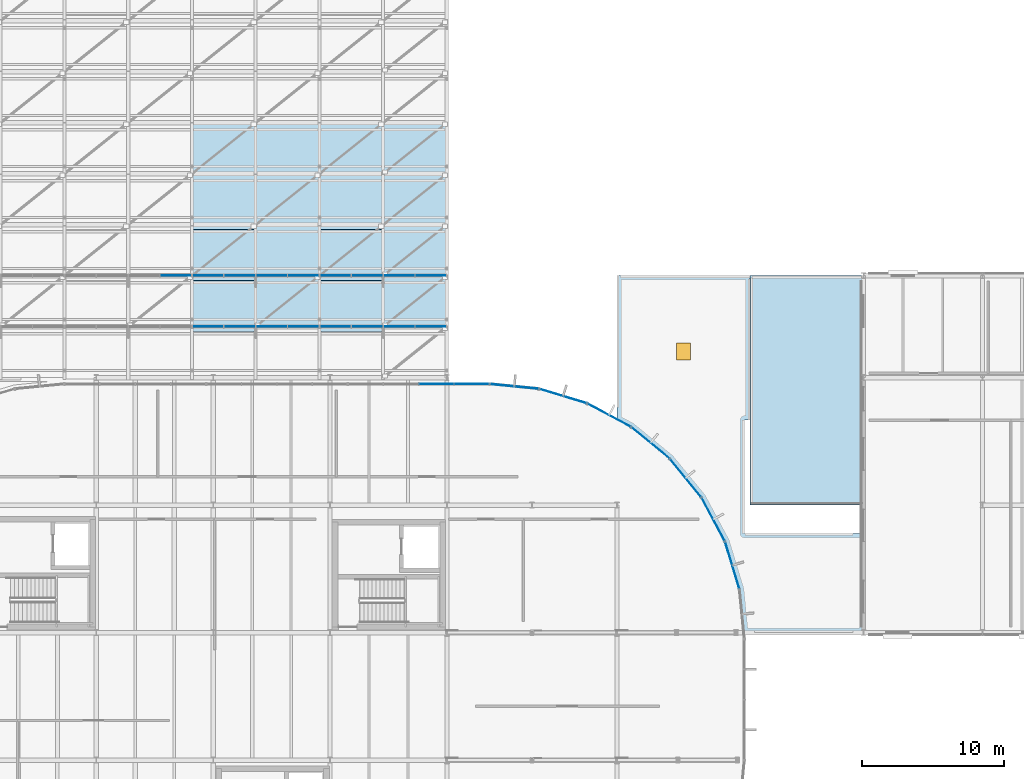
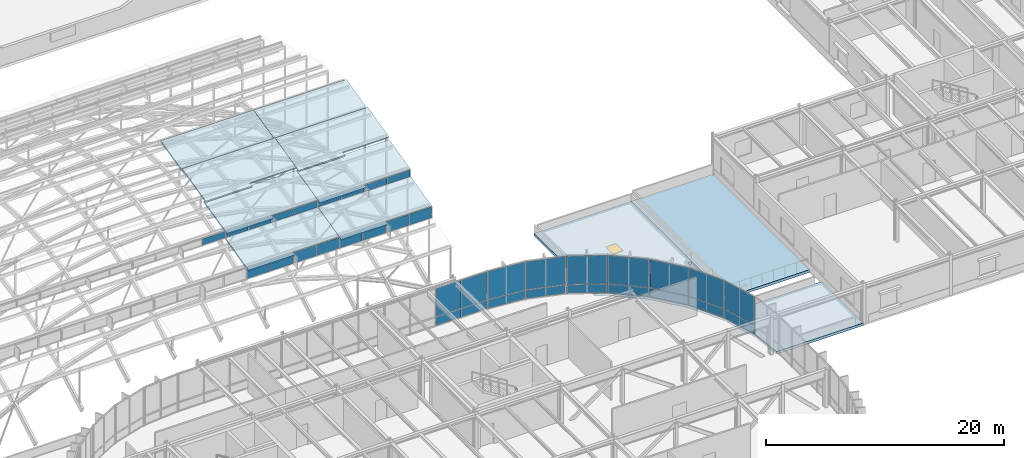
# One storey, part 46 of 69: 35 plates, 10 slabs, 1 door, 1 opening, 15 elements without a shape of their own.
"""IFC4 building model written with IfcOpenShell, lengths in metres."""

import ifcopenshell
import ifcopenshell.guid

model = None  # the IFC model being written
_history = None  # IfcOwnerHistory: only IFC2X3 demands one
_inside = {}  # id of a spatial element -> (the spatial element, [elements in it])
_under = {}  # id of a project, library or spatial element -> (it, [spatial elements below it])
_declared = {}  # id of a project -> (the project, [libraries it declares])
_typed = {}  # id of a type object -> (the type object, [elements of that type])
_made_of = {}  # id of a material, layer set ... -> (it, [elements and type objects made of it])


def new_model(schema):
    """Start an empty IFC model of exactly this schema.

    Asked for "IFC4X3", IfcOpenShell would pick the latest addendum, in which some entities
    have other attributes; the version numbers below select the first issue.
    IFC2X3 requires an IfcOwnerHistory on every rooted entity: one is made here for all.
    """
    global model, _history
    if schema == "IFC4X3":
        model = ifcopenshell.file(schema_version=(4, 3, 0, 0))
    else:
        model = ifcopenshell.file(schema=schema)
    _inside.clear()
    _under.clear()
    _declared.clear()
    _typed.clear()
    _made_of.clear()
    _history = None
    if model.schema == "IFC2X3":
        org = make("IfcOrganization", Name="unknown")
        user = make(
            "IfcPersonAndOrganization",
            ThePerson=make("IfcPerson", FamilyName="unknown"),
            TheOrganization=org,
        )
        app = make(
            "IfcApplication",
            ApplicationDeveloper=org,
            Version="unknown",
            ApplicationFullName="unknown",
            ApplicationIdentifier="unknown",
        )
        _history = make(
            "IfcOwnerHistory",
            OwningUser=user,
            OwningApplication=app,
            ChangeAction="ADDED",
            CreationDate=0,
        )
    return model


def make(cls, **values):
    """One entity of the class cls with the attributes given. An attribute that is None is left unset."""
    return model.create_entity(
        cls, **{name: value for name, value in values.items() if value is not None}
    )


def rooted(cls, **values):
    """An entity with a GlobalId (a new one), such as an element, a storey or a relation."""
    return make(cls, GlobalId=ifcopenshell.guid.new(), OwnerHistory=_history, **values)


def si_unit(unit_type, name, prefix=None):
    """IfcSIUnit, for example si_unit("LENGTHUNIT", "METRE", prefix="MILLI")."""
    return make("IfcSIUnit", UnitType=unit_type, Prefix=prefix, Name=name)


def assignment(units):
    """IfcUnitAssignment: the units of a project."""
    return None if units is None else make("IfcUnitAssignment", Units=units)


def point(xyz):
    """IfcCartesianPoint."""
    return None if xyz is None else make("IfcCartesianPoint", Coordinates=xyz)


def direction(xyz):
    """IfcDirection."""
    return None if xyz is None else make("IfcDirection", DirectionRatios=xyz)


def frame(location, z_axis=None, x_axis=None):
    """IfcAxis2Placement3D, a coordinate frame: its origin and axes. An axis left out is left unset."""
    return make(
        "IfcAxis2Placement3D",
        Location=point(location),
        Axis=direction(z_axis),
        RefDirection=direction(x_axis),
    )


def frame_2d(location, x_axis=None):
    """IfcAxis2Placement2D, a coordinate frame in the plane: its origin and x axis."""
    return make(
        "IfcAxis2Placement2D", Location=point(location), RefDirection=direction(x_axis)
    )


def origin():
    """The frame at (0, 0, 0) with its axes left unset."""
    return frame((0.0, 0.0, 0.0))


def origin_2d():
    """The frame at (0, 0) in the plane with its x axis left unset."""
    return frame_2d((0.0, 0.0))


def place(relative_to, where):
    """IfcLocalPlacement: puts the frame where relative to a parent placement (None: the world)."""
    return make(
        "IfcLocalPlacement", PlacementRelTo=relative_to, RelativePlacement=where
    )


def context(
    kind, dimensions, precision=None, world=None, true_north=None, identifier=None
):
    """IfcGeometricRepresentationContext, for example the 3D "Model" context."""
    return make(
        "IfcGeometricRepresentationContext",
        ContextIdentifier=identifier,
        ContextType=kind,
        CoordinateSpaceDimension=dimensions,
        Precision=precision,
        WorldCoordinateSystem=world,
        TrueNorth=true_north,
    )


def subcontext(parent, identifier, kind, view, scale=None):
    """IfcGeometricRepresentationSubContext, for example "Body" below "Model"."""
    return make(
        "IfcGeometricRepresentationSubContext",
        ContextIdentifier=identifier,
        ContextType=kind,
        ParentContext=parent,
        TargetScale=scale,
        TargetView=view,
    )


def project(units=None, contexts=None):
    """IfcProject with its units and contexts."""
    return rooted(
        "IfcProject",
        Name="project",
        RepresentationContexts=contexts,
        UnitsInContext=assignment(units),
    )


def spatial(cls, under=None, at=None, **own):
    """A site, building, storey or space (cls), placed at a placement, below another one or the project."""
    s = rooted(cls, ObjectPlacement=at, **own)
    if under is not None:
        _under.setdefault(under.id(), (under, []))[1].append(s)
    return s


def polyline(points):
    """IfcPolyline through the points."""
    return make("IfcPolyline", Points=[point(p) for p in points])


def profile(cls, at=None, kind="AREA", **sizes):
    """A parametric profile (cls). Its sizes go by their IFC names, for example OverallWidth=200.0."""
    return make(cls, ProfileType=kind, Position=at, **sizes)


def rectangle(**sizes):
    """IfcRectangleProfileDef."""
    return profile("IfcRectangleProfileDef", **sizes)


def outline(outer, holes=None, kind="AREA"):
    """IfcArbitraryClosedProfileDef: a profile drawn as a closed curve; with holes, ...WithVoids."""
    if holes is None:
        return make("IfcArbitraryClosedProfileDef", ProfileType=kind, OuterCurve=outer)
    return make(
        "IfcArbitraryProfileDefWithVoids",
        ProfileType=kind,
        OuterCurve=outer,
        InnerCurves=holes,
    )


def extrude(swept, where, along, depth):
    """IfcExtrudedAreaSolid: the profile swept, set in the frame where, extruded along a direction by depth."""
    return make(
        "IfcExtrudedAreaSolid",
        SweptArea=swept,
        Position=where,
        ExtrudedDirection=direction(along),
        Depth=depth,
    )


def shape(context_of_items, identifier, shape_type, items):
    """IfcShapeRepresentation: the items that make up one representation, for example the "Body"."""
    return make(
        "IfcShapeRepresentation",
        ContextOfItems=context_of_items,
        RepresentationIdentifier=identifier,
        RepresentationType=shape_type,
        Items=items,
    )


def material(Name=None, Category=None):
    """IfcMaterial."""
    return make("IfcMaterial", Name=Name, Category=Category)


def layer(
    of_material, thickness, ventilated=None, Name=None, Category=None, Priority=None
):
    """IfcMaterialLayer: one layer of a wall or slab, of a material (None: an air gap)."""
    return make(
        "IfcMaterialLayer",
        Material=of_material,
        LayerThickness=thickness,
        IsVentilated=ventilated,
        Name=Name,
        Category=Category,
        Priority=Priority,
    )


def layer_set(layers, Name=None):
    """IfcMaterialLayerSet."""
    return make("IfcMaterialLayerSet", MaterialLayers=layers, LayerSetName=Name)


def made_of(thing, what):
    """Note that an element or type object is made of a material, layer set ...; save() writes the relation."""
    if what is not None:
        _made_of.setdefault(what.id(), (what, []))[1].append(thing)
    return thing


def type_object(cls, material=None, **own):
    """A type object (cls), such as IfcWallType, which elements share."""
    return made_of(rooted(cls, **own), material)


def element(
    cls,
    number,
    at=None,
    inside=None,
    cuts=None,
    type_object=None,
    material=None,
    context=None,
    identifier="Body",
    shape_type=None,
    held_by="IfcProductDefinitionShape",
    body=None,
    shapes=None,
    **own,
):
    """One element of the class cls, such as IfcWall. Its Tag is "e" and its number.

    at: its placement. inside: the storey or other place that contains it. cuts: it is an
    opening in that element (IfcRelVoidsElement). A single representation is given by context,
    identifier, shape_type and body (its items); several are given by shapes. held_by: the class
    of the entity that holds the representations. save() writes the other relations.
    """
    e = rooted(cls, Tag="e%d" % number, ObjectPlacement=at, **own)
    if body is not None:
        shapes = [shape(context, identifier, shape_type, body)]
    if shapes is not None:
        e.Representation = make(held_by, Representations=shapes)
    if inside is not None:
        _inside.setdefault(inside.id(), (inside, []))[1].append(e)
    if cuts is not None:
        rooted(
            "IfcRelVoidsElement", RelatingBuildingElement=cuts, RelatedOpeningElement=e
        )
    if type_object is not None:
        _typed.setdefault(type_object.id(), (type_object, []))[1].append(e)
    return made_of(e, material)


def fill(opening, filler):
    """IfcRelFillsElement: the door or window that sits in an opening."""
    return rooted(
        "IfcRelFillsElement",
        RelatingOpeningElement=opening,
        RelatedBuildingElement=filler,
    )


def aggregate(whole, parts):
    """IfcRelAggregates: a whole, such as a stair, and the parts it consists of."""
    return rooted("IfcRelAggregates", RelatingObject=whole, RelatedObjects=parts)


def save(model, path):
    """Write the relations noted so far, then the file.

    IfcRelAggregates (storeys below a building ...), IfcRelContainedInSpatialStructure (elements
    in a storey), IfcRelDefinesByType, IfcRelAssociatesMaterial and IfcRelDeclares: one each for
    every whole, place, type object, material and project.
    """
    for whole, parts in _under.values():
        aggregate(whole, parts)
    for where, things in _inside.values():
        rooted(
            "IfcRelContainedInSpatialStructure",
            RelatedElements=things,
            RelatingStructure=where,
        )
    for kind, things in _typed.values():
        rooted("IfcRelDefinesByType", RelatedObjects=things, RelatingType=kind)
    for what, things in _made_of.values():
        rooted("IfcRelAssociatesMaterial", RelatedObjects=things, RelatingMaterial=what)
    for by, libraries in _declared.values():
        rooted("IfcRelDeclares", RelatingContext=by, RelatedDefinitions=libraries)
    model.write(path)


model = new_model("IFC4")

# Units and contexts
model_context = context("Model", 3, precision=1e-05, world=origin(), true_north=direction((0.0, 1.0)))
body_context = subcontext(model_context, "Body", "Model", "MODEL_VIEW")
ifc_project = project(units=[si_unit("LENGTHUNIT", "METRE"), si_unit("AREAUNIT", "SQUARE_METRE"), si_unit("VOLUMEUNIT", "CUBIC_METRE"), si_unit("PLANEANGLEUNIT", "RADIAN"), si_unit("MASSUNIT", "GRAM", prefix="KILO")], contexts=[model_context])

# Site, building, storey
site_placement = place(None, origin())
site = spatial("IfcSite", under=ifc_project, at=site_placement, CompositionType="ELEMENT")
building_placement = place(site_placement, origin())
building = spatial("IfcBuilding", under=site, at=building_placement, Name="Montealbar Specialist Clinic", CompositionType="ELEMENT")
storey_placement = place(building_placement, frame((0.0, 0.0, 9.60009765625)))
storey = spatial("IfcBuildingStorey", under=building, at=storey_placement, Name="L02", CompositionType="ELEMENT", Elevation=9.60009765625)

# Curtain wall, plates
ifc_material_1 = material(Name="Low-E double glazing", Category="glass")
ifc_layer_1 = layer(ifc_material_1, 0.199951171875, Name="Low-E double glazing", Category="glass")
ifc_layer_set_1 = layer_set([ifc_layer_1], Name="Low-E double glazing")
curtain_wall_type_1 = type_object("IfcCurtainWallType", Name="CW-TYPE-13", PredefinedType="NOTDEFINED", material=ifc_layer_set_1)
curtain_wall_1_placement = place(storey_placement, origin())
curtain_wall_1 = element("IfcCurtainWall", 1, at=curtain_wall_1_placement, inside=storey, type_object=curtain_wall_type_1, Name="Unitised Curtain Wall CW-L02-920-446-1020-446-96", PredefinedType="NOTDEFINED")
ifc_layer_2 = layer(ifc_material_1, 0.028076171875, Name="Low-E double glazing", Category="glass")
ifc_layer_set_2 = layer_set([ifc_layer_2], Name="Low-E double glazing")
plate_type_1 = type_object("IfcPlateType", Name="CW-PNL-IGU28", PredefinedType="CURTAIN_PANEL", material=ifc_layer_set_2)
plate_1_placement = place(storey_placement, frame((98.25, 44.550048828125, 0.06982421875), z_axis=(0.0, 0.0, 1.0), x_axis=(1.0, 0.0, 0.0)))
plate_1 = element("IfcPlate", 2, at=plate_1_placement, type_object=plate_type_1, Name="Glazed Curtain Panel CW-L02-920-446-1020-446-96-3-1", PredefinedType="CURTAIN_PANEL", context=body_context, shape_type="SweptSolid", body=[
    extrude(rectangle(XDim=2.427978515625, YDim=0.028076171875, at=origin_2d()), origin(), (0.0, 0.0, 1.0), 0.85009765625),
])
plate_2_placement = place(storey_placement, frame((98.25, 44.550048828125, 0.97998046875), z_axis=(0.0, 0.0, 1.0), x_axis=(1.0, 0.0, 0.0)))
plate_2 = element("IfcPlate", 3, at=plate_2_placement, type_object=plate_type_1, Name="Glazed Curtain Panel CW-L02-920-446-1020-446-96-3-2", PredefinedType="CURTAIN_PANEL", context=body_context, shape_type="SweptSolid", body=[
    extrude(rectangle(XDim=2.427978515625, YDim=0.028076171875, at=origin_2d()), origin(), (0.0, 0.0, 1.0), 2.8798828125),
])
plate_3_placement = place(storey_placement, frame((100.75, 44.550048828125, 0.06982421875), z_axis=(0.0, 0.0, 1.0), x_axis=(1.0, 0.0, 0.0)))
plate_3 = element("IfcPlate", 4, at=plate_3_placement, type_object=plate_type_1, Name="Glazed Curtain Panel CW-L02-920-446-1020-446-96-4-1", PredefinedType="CURTAIN_PANEL", context=body_context, shape_type="SweptSolid", body=[
    extrude(rectangle(XDim=2.427978515625, YDim=0.028076171875, at=origin_2d()), origin(), (0.0, 0.0, 1.0), 0.85009765625),
])
plate_4_placement = place(storey_placement, frame((100.75, 44.550048828125, 0.97998046875), z_axis=(0.0, 0.0, 1.0), x_axis=(1.0, 0.0, 0.0)))
plate_4 = element("IfcPlate", 5, at=plate_4_placement, type_object=plate_type_1, Name="Glazed Curtain Panel CW-L02-920-446-1020-446-96-4-2", PredefinedType="CURTAIN_PANEL", context=body_context, shape_type="SweptSolid", body=[
    extrude(rectangle(XDim=2.427978515625, YDim=0.028076171875, at=origin_2d()), origin(), (0.0, 0.0, 1.0), 2.8798828125),
])
aggregate(curtain_wall_1, [plate_1, plate_2, plate_3, plate_4])

ifc_layer_3 = layer(ifc_material_1, 0.199951171875, Name="Low-E double glazing", Category="glass")
ifc_layer_set_3 = layer_set([ifc_layer_3], Name="Low-E double glazing")
curtain_wall_type_2 = type_object("IfcCurtainWallType", Name="CW-TYPE-47", PredefinedType="NOTDEFINED", material=ifc_layer_set_3)
curtain_wall_2_placement = place(storey_placement, origin())
curtain_wall_2 = element("IfcCurtainWall", 6, at=curtain_wall_2_placement, inside=storey, type_object=curtain_wall_type_2, Name="Unitised Curtain Wall CW-L02-810-486-900-486-175", PredefinedType="NOTDEFINED")
plate_5_placement = place(storey_placement, frame((82.125, 48.60009765625, 8.00439453125), z_axis=(0.0, 0.0, 1.0), x_axis=(1.0, 0.0, 0.0)))
plate_5 = element("IfcPlate", 7, at=plate_5_placement, type_object=plate_type_1, Name="Glazed Curtain Panel CW-L02-810-486-900-486-175-1-1", PredefinedType="CURTAIN_PANEL", context=body_context, shape_type="SweptSolid", body=[
    extrude(rectangle(XDim=2.177978515625, YDim=0.028076171875, at=origin_2d()), origin(), (0.0, 0.0, 1.0), 1.116943359375),
])
plate_6_placement = place(storey_placement, frame((84.375, 48.60009765625, 8.00439453125), z_axis=(0.0, 0.0, 1.0), x_axis=(1.0, 0.0, 0.0)))
plate_6 = element("IfcPlate", 8, at=plate_6_placement, type_object=plate_type_1, Name="Glazed Curtain Panel CW-L02-810-486-900-486-175-2-1", PredefinedType="CURTAIN_PANEL", context=body_context, shape_type="SweptSolid", body=[
    extrude(rectangle(XDim=2.177978515625, YDim=0.028076171875, at=origin_2d()), origin(), (0.0, 0.0, 1.0), 1.116943359375),
])
plate_7_placement = place(storey_placement, frame((86.625, 48.60009765625, 8.00439453125), z_axis=(0.0, 0.0, 1.0), x_axis=(1.0, 0.0, 0.0)))
plate_7 = element("IfcPlate", 9, at=plate_7_placement, type_object=plate_type_1, Name="Glazed Curtain Panel CW-L02-810-486-900-486-175-3-1", PredefinedType="CURTAIN_PANEL", context=body_context, shape_type="SweptSolid", body=[
    extrude(rectangle(XDim=2.177978515625, YDim=0.028076171875, at=origin_2d()), origin(), (0.0, 0.0, 1.0), 1.116943359375),
])
plate_8_placement = place(storey_placement, frame((88.875, 48.60009765625, 8.00439453125), z_axis=(0.0, 0.0, 1.0), x_axis=(1.0, 0.0, 0.0)))
plate_8 = element("IfcPlate", 10, at=plate_8_placement, type_object=plate_type_1, Name="Glazed Curtain Panel CW-L02-810-486-900-486-175-4-1", PredefinedType="CURTAIN_PANEL", context=body_context, shape_type="SweptSolid", body=[
    extrude(rectangle(XDim=2.177978515625, YDim=0.028076171875, at=origin_2d()), origin(), (0.0, 0.0, 1.0), 1.116943359375),
])
aggregate(curtain_wall_2, [plate_5, plate_6, plate_7, plate_8])

curtain_wall_3_placement = place(storey_placement, origin())
curtain_wall_3 = element("IfcCurtainWall", 11, at=curtain_wall_3_placement, inside=storey, type_object=curtain_wall_type_2, Name="Unitised Curtain Wall CW-L02-900-486-990-486-175", PredefinedType="NOTDEFINED")
plate_9_placement = place(storey_placement, frame((91.125, 48.60009765625, 8.00439453125), z_axis=(0.0, 0.0, 1.0), x_axis=(1.0, 0.0, 0.0)))
plate_9 = element("IfcPlate", 12, at=plate_9_placement, type_object=plate_type_1, Name="Glazed Curtain Panel CW-L02-900-486-990-486-175-1-1", PredefinedType="CURTAIN_PANEL", context=body_context, shape_type="SweptSolid", body=[
    extrude(rectangle(XDim=2.177978515625, YDim=0.028076171875, at=origin_2d()), origin(), (0.0, 0.0, 1.0), 1.116943359375),
])
plate_10_placement = place(storey_placement, frame((93.375, 48.60009765625, 8.00439453125), z_axis=(0.0, 0.0, 1.0), x_axis=(1.0, 0.0, 0.0)))
plate_10 = element("IfcPlate", 13, at=plate_10_placement, type_object=plate_type_1, Name="Glazed Curtain Panel CW-L02-900-486-990-486-175-2-1", PredefinedType="CURTAIN_PANEL", context=body_context, shape_type="SweptSolid", body=[
    extrude(rectangle(XDim=2.177978515625, YDim=0.028076171875, at=origin_2d()), origin(), (0.0, 0.0, 1.0), 1.116943359375),
])
plate_11_placement = place(storey_placement, frame((95.625, 48.60009765625, 8.00439453125), z_axis=(0.0, 0.0, 1.0), x_axis=(1.0, 0.0, 0.0)))
plate_11 = element("IfcPlate", 14, at=plate_11_placement, type_object=plate_type_1, Name="Glazed Curtain Panel CW-L02-900-486-990-486-175-3-1", PredefinedType="CURTAIN_PANEL", context=body_context, shape_type="SweptSolid", body=[
    extrude(rectangle(XDim=2.177978515625, YDim=0.028076171875, at=origin_2d()), origin(), (0.0, 0.0, 1.0), 1.116943359375),
])
plate_12_placement = place(storey_placement, frame((97.875, 48.60009765625, 8.00439453125), z_axis=(0.0, 0.0, 1.0), x_axis=(1.0, 0.0, 0.0)))
plate_12 = element("IfcPlate", 15, at=plate_12_placement, type_object=plate_type_1, Name="Glazed Curtain Panel CW-L02-900-486-990-486-175-4-1", PredefinedType="CURTAIN_PANEL", context=body_context, shape_type="SweptSolid", body=[
    extrude(rectangle(XDim=2.177978515625, YDim=0.028076171875, at=origin_2d()), origin(), (0.0, 0.0, 1.0), 1.116943359375),
])
aggregate(curtain_wall_3, [plate_9, plate_10, plate_11, plate_12])

# Curtain wall, plate
ifc_layer_4 = layer(ifc_material_1, 0.199951171875, Name="Low-E double glazing", Category="glass")
ifc_layer_set_4 = layer_set([ifc_layer_4], Name="Low-E double glazing")
curtain_wall_type_3 = type_object("IfcCurtainWallType", Name="CW-TYPE-48", PredefinedType="NOTDEFINED", material=ifc_layer_set_4)
curtain_wall_4_placement = place(storey_placement, origin())
curtain_wall_4 = element("IfcCurtainWall", 16, at=curtain_wall_4_placement, inside=storey, type_object=curtain_wall_type_3, Name="Unitised Curtain Wall CW-L02-720-522-810-522-196", PredefinedType="NOTDEFINED")
plate_13_placement = place(storey_placement, frame((79.875, 52.199951171875, 10.044921875), z_axis=(0.0, 0.0, 1.0), x_axis=(1.0, 0.0, 0.0)))
plate_13 = element("IfcPlate", 17, at=plate_13_placement, type_object=plate_type_1, Name="Glazed Curtain Panel CW-L02-720-522-810-522-196-4-1", PredefinedType="CURTAIN_PANEL", context=body_context, shape_type="SweptSolid", body=[
    extrude(rectangle(XDim=2.177978515625, YDim=0.028076171875, at=origin_2d()), origin(), (0.0, 0.0, 1.0), 0.6640625),
])
aggregate(curtain_wall_4, [plate_13])

# Curtain wall, plates
curtain_wall_5_placement = place(storey_placement, origin())
curtain_wall_5 = element("IfcCurtainWall", 18, at=curtain_wall_5_placement, inside=storey, type_object=curtain_wall_type_3, Name="Unitised Curtain Wall CW-L02-810-522-900-522-196", PredefinedType="NOTDEFINED")
plate_14_placement = place(storey_placement, frame((82.125, 52.199951171875, 10.044921875), z_axis=(0.0, 0.0, 1.0), x_axis=(1.0, 0.0, 0.0)))
plate_14 = element("IfcPlate", 19, at=plate_14_placement, type_object=plate_type_1, Name="Glazed Curtain Panel CW-L02-810-522-900-522-196-1-1", PredefinedType="CURTAIN_PANEL", context=body_context, shape_type="SweptSolid", body=[
    extrude(rectangle(XDim=2.177978515625, YDim=0.028076171875, at=origin_2d()), origin(), (0.0, 0.0, 1.0), 0.6640625),
])
plate_15_placement = place(storey_placement, frame((84.375, 52.199951171875, 10.044921875), z_axis=(0.0, 0.0, 1.0), x_axis=(1.0, 0.0, 0.0)))
plate_15 = element("IfcPlate", 20, at=plate_15_placement, type_object=plate_type_1, Name="Glazed Curtain Panel CW-L02-810-522-900-522-196-2-1", PredefinedType="CURTAIN_PANEL", context=body_context, shape_type="SweptSolid", body=[
    extrude(rectangle(XDim=2.177978515625, YDim=0.028076171875, at=origin_2d()), origin(), (0.0, 0.0, 1.0), 0.6640625),
])
plate_16_placement = place(storey_placement, frame((86.625, 52.199951171875, 10.044921875), z_axis=(0.0, 0.0, 1.0), x_axis=(1.0, 0.0, 0.0)))
plate_16 = element("IfcPlate", 21, at=plate_16_placement, type_object=plate_type_1, Name="Glazed Curtain Panel CW-L02-810-522-900-522-196-3-1", PredefinedType="CURTAIN_PANEL", context=body_context, shape_type="SweptSolid", body=[
    extrude(rectangle(XDim=2.177978515625, YDim=0.028076171875, at=origin_2d()), origin(), (0.0, 0.0, 1.0), 0.6640625),
])
plate_17_placement = place(storey_placement, frame((88.875, 52.199951171875, 10.044921875), z_axis=(0.0, 0.0, 1.0), x_axis=(1.0, 0.0, 0.0)))
plate_17 = element("IfcPlate", 22, at=plate_17_placement, type_object=plate_type_1, Name="Glazed Curtain Panel CW-L02-810-522-900-522-196-4-1", PredefinedType="CURTAIN_PANEL", context=body_context, shape_type="SweptSolid", body=[
    extrude(rectangle(XDim=2.177978515625, YDim=0.028076171875, at=origin_2d()), origin(), (0.0, 0.0, 1.0), 0.6640625),
])
aggregate(curtain_wall_5, [plate_14, plate_15, plate_16, plate_17])

curtain_wall_6_placement = place(storey_placement, origin())
curtain_wall_6 = element("IfcCurtainWall", 23, at=curtain_wall_6_placement, inside=storey, type_object=curtain_wall_type_3, Name="Unitised Curtain Wall CW-L02-900-522-990-522-196", PredefinedType="NOTDEFINED")
plate_18_placement = place(storey_placement, frame((91.125, 52.199951171875, 10.044921875), z_axis=(0.0, 0.0, 1.0), x_axis=(1.0, 0.0, 0.0)))
plate_18 = element("IfcPlate", 24, at=plate_18_placement, type_object=plate_type_1, Name="Glazed Curtain Panel CW-L02-900-522-990-522-196-1-1", PredefinedType="CURTAIN_PANEL", context=body_context, shape_type="SweptSolid", body=[
    extrude(rectangle(XDim=2.177978515625, YDim=0.028076171875, at=origin_2d()), origin(), (0.0, 0.0, 1.0), 0.6640625),
])
plate_19_placement = place(storey_placement, frame((93.375, 52.199951171875, 10.044921875), z_axis=(0.0, 0.0, 1.0), x_axis=(1.0, 0.0, 0.0)))
plate_19 = element("IfcPlate", 25, at=plate_19_placement, type_object=plate_type_1, Name="Glazed Curtain Panel CW-L02-900-522-990-522-196-2-1", PredefinedType="CURTAIN_PANEL", context=body_context, shape_type="SweptSolid", body=[
    extrude(rectangle(XDim=2.177978515625, YDim=0.028076171875, at=origin_2d()), origin(), (0.0, 0.0, 1.0), 0.6640625),
])
plate_20_placement = place(storey_placement, frame((95.625, 52.199951171875, 10.044921875), z_axis=(0.0, 0.0, 1.0), x_axis=(1.0, 0.0, 0.0)))
plate_20 = element("IfcPlate", 26, at=plate_20_placement, type_object=plate_type_1, Name="Glazed Curtain Panel CW-L02-900-522-990-522-196-3-1", PredefinedType="CURTAIN_PANEL", context=body_context, shape_type="SweptSolid", body=[
    extrude(rectangle(XDim=2.177978515625, YDim=0.028076171875, at=origin_2d()), origin(), (0.0, 0.0, 1.0), 0.6640625),
])
plate_21_placement = place(storey_placement, frame((97.875, 52.199951171875, 10.044921875), z_axis=(0.0, 0.0, 1.0), x_axis=(1.0, 0.0, 0.0)))
plate_21 = element("IfcPlate", 27, at=plate_21_placement, type_object=plate_type_1, Name="Glazed Curtain Panel CW-L02-900-522-990-522-196-4-1", PredefinedType="CURTAIN_PANEL", context=body_context, shape_type="SweptSolid", body=[
    extrude(rectangle(XDim=2.177978515625, YDim=0.028076171875, at=origin_2d()), origin(), (0.0, 0.0, 1.0), 0.6640625),
])
aggregate(curtain_wall_6, [plate_18, plate_19, plate_20, plate_21])

ifc_layer_5 = layer(ifc_material_1, 0.199951171875, Name="Low-E double glazing", Category="glass")
ifc_layer_set_5 = layer_set([ifc_layer_5], Name="Low-E double glazing")
curtain_wall_type_4 = type_object("IfcCurtainWallType", Name="CW-TYPE-12", PredefinedType="NOTDEFINED", material=ifc_layer_set_5)
curtain_wall_7_placement = place(storey_placement, origin())
curtain_wall_7 = element("IfcCurtainWall", 28, at=curtain_wall_7_placement, inside=storey, type_object=curtain_wall_type_4, Name="Unitised Curtain Wall CW-L02-1020-446-1055-442-96", PredefinedType="NOTDEFINED")
ifc_layer_6 = layer(ifc_material_1, 0.0380859375, Name="Low-E double glazing", Category="glass")
ifc_layer_set_6 = layer_set([ifc_layer_6], Name="Low-E double glazing")
plate_type_2 = type_object("IfcPlateType", Name="CW-PNL-IGU38", PredefinedType="CURTAIN_PANEL", material=ifc_layer_set_6)
plate_22_placement = place(storey_placement, frame((103.756103515625, 44.376953125, 0.06982421875), z_axis=(0.0, 0.0, 1.0), x_axis=(0.995182012183, -0.098044697094, 0.0)))
plate_22 = element("IfcPlate", 29, at=plate_22_placement, type_object=plate_type_2, Name="Glazed Curtain Panel CW-L02-1020-446-1055-442-96-1-1", PredefinedType="CURTAIN_PANEL", context=body_context, shape_type="SweptSolid", body=[
    extrude(rectangle(XDim=3.445068359375, YDim=0.0380859375, at=origin_2d()), origin(), (0.0, 0.0, 1.0), 0.85009765625),
])
plate_23_placement = place(storey_placement, frame((103.756103515625, 44.376953125, 0.97998046875), z_axis=(0.0, 0.0, 1.0), x_axis=(0.995182012183, -0.098044697094, 0.0)))
plate_23 = element("IfcPlate", 30, at=plate_23_placement, type_object=plate_type_2, Name="Glazed Curtain Panel CW-L02-1020-446-1055-442-96-1-2", PredefinedType="CURTAIN_PANEL", context=body_context, shape_type="SweptSolid", body=[
    extrude(rectangle(XDim=3.445068359375, YDim=0.0380859375, at=origin_2d()), origin(), (0.0, 0.0, 1.0), 2.8798828125),
])
aggregate(curtain_wall_7, [plate_22, plate_23])

curtain_wall_8_placement = place(storey_placement, origin())
curtain_wall_8 = element("IfcCurtainWall", 31, at=curtain_wall_8_placement, inside=storey, type_object=curtain_wall_type_4, Name="Unitised Curtain Wall CW-L02-1055-442-1089-432-96", PredefinedType="NOTDEFINED")
plate_24_placement = place(storey_placement, frame((107.199951171875, 43.69189453125, 0.06982421875), z_axis=(0.0, 0.0, 1.0), x_axis=(0.956948083701, -0.290259134399, 0.0)))
plate_24 = element("IfcPlate", 32, at=plate_24_placement, type_object=plate_type_2, Name="Glazed Curtain Panel CW-L02-1055-442-1089-432-96-1-1", PredefinedType="CURTAIN_PANEL", context=body_context, shape_type="SweptSolid", body=[
    extrude(rectangle(XDim=3.444091796875, YDim=0.0380859375, at=origin_2d()), origin(), (0.0, 0.0, 1.0), 0.85009765625),
])
plate_25_placement = place(storey_placement, frame((107.199951171875, 43.69189453125, 0.97998046875), z_axis=(0.0, 0.0, 1.0), x_axis=(0.956948083701, -0.290259134399, 0.0)))
plate_25 = element("IfcPlate", 33, at=plate_25_placement, type_object=plate_type_2, Name="Glazed Curtain Panel CW-L02-1055-442-1089-432-96-1-2", PredefinedType="CURTAIN_PANEL", context=body_context, shape_type="SweptSolid", body=[
    extrude(rectangle(XDim=3.444091796875, YDim=0.0380859375, at=origin_2d()), origin(), (0.0, 0.0, 1.0), 2.8798828125),
])
aggregate(curtain_wall_8, [plate_24, plate_25])

curtain_wall_9_placement = place(storey_placement, origin())
curtain_wall_9 = element("IfcCurtainWall", 34, at=curtain_wall_9_placement, inside=storey, type_object=curtain_wall_type_4, Name="Unitised Curtain Wall CW-L02-1089-432-1120-415-96", PredefinedType="NOTDEFINED")
plate_26_placement = place(storey_placement, frame((110.444091796875, 42.347900390625, 0.06982421875), z_axis=(0.0, 0.0, 1.0), x_axis=(0.881850411644, -0.471529268958, 0.0)))
plate_26 = element("IfcPlate", 35, at=plate_26_placement, type_object=plate_type_2, Name="Glazed Curtain Panel CW-L02-1089-432-1120-415-96-1-1", PredefinedType="CURTAIN_PANEL", context=body_context, shape_type="SweptSolid", body=[
    extrude(rectangle(XDim=3.445068359375, YDim=0.0380859375, at=origin_2d()), origin(), (0.0, 0.0, 1.0), 0.85009765625),
])
plate_27_placement = place(storey_placement, frame((110.444091796875, 42.347900390625, 0.97998046875), z_axis=(0.0, 0.0, 1.0), x_axis=(0.881850411644, -0.471529268958, 0.0)))
plate_27 = element("IfcPlate", 36, at=plate_27_placement, type_object=plate_type_2, Name="Glazed Curtain Panel CW-L02-1089-432-1120-415-96-1-2", PredefinedType="CURTAIN_PANEL", context=body_context, shape_type="SweptSolid", body=[
    extrude(rectangle(XDim=3.445068359375, YDim=0.0380859375, at=origin_2d()), origin(), (0.0, 0.0, 1.0), 2.8798828125),
])
aggregate(curtain_wall_9, [plate_26, plate_27])

curtain_wall_10_placement = place(storey_placement, origin())
curtain_wall_10 = element("IfcCurtainWall", 37, at=curtain_wall_10_placement, inside=storey, type_object=curtain_wall_type_4, Name="Unitised Curtain Wall CW-L02-1120-415-1147-393-96", PredefinedType="NOTDEFINED")
plate_28_placement = place(storey_placement, frame((113.364013671875, 40.39697265625, 0.06982421875), z_axis=(0.0, 0.0, 1.0), x_axis=(0.773123255923, -0.634255808922, 0.0)))
plate_28 = element("IfcPlate", 38, at=plate_28_placement, type_object=plate_type_2, Name="Glazed Curtain Panel CW-L02-1120-415-1147-393-96-1-1", PredefinedType="CURTAIN_PANEL", context=body_context, shape_type="SweptSolid", body=[
    extrude(rectangle(XDim=3.445068359375, YDim=0.0380859375, at=origin_2d()), origin(), (0.0, 0.0, 1.0), 0.85009765625),
])
plate_29_placement = place(storey_placement, frame((113.364013671875, 40.39697265625, 0.97998046875), z_axis=(0.0, 0.0, 1.0), x_axis=(0.773123255923, -0.634255808922, 0.0)))
plate_29 = element("IfcPlate", 39, at=plate_29_placement, type_object=plate_type_2, Name="Glazed Curtain Panel CW-L02-1120-415-1147-393-96-1-2", PredefinedType="CURTAIN_PANEL", context=body_context, shape_type="SweptSolid", body=[
    extrude(rectangle(XDim=3.445068359375, YDim=0.0380859375, at=origin_2d()), origin(), (0.0, 0.0, 1.0), 2.8798828125),
])
aggregate(curtain_wall_10, [plate_28, plate_29])

curtain_wall_11_placement = place(storey_placement, origin())
curtain_wall_11 = element("IfcCurtainWall", 40, at=curtain_wall_11_placement, inside=storey, type_object=curtain_wall_type_4, Name="Unitised Curtain Wall CW-L02-1147-393-1170-366-96", PredefinedType="NOTDEFINED")
plate_30_placement = place(storey_placement, frame((115.846923828125, 37.9140625, 0.06982421875), z_axis=(0.0, 0.0, 1.0), x_axis=(0.634255808922, -0.773123255923, 0.0)))
plate_30 = element("IfcPlate", 41, at=plate_30_placement, type_object=plate_type_2, Name="Glazed Curtain Panel CW-L02-1147-393-1170-366-96-1-1", PredefinedType="CURTAIN_PANEL", context=body_context, shape_type="SweptSolid", body=[
    extrude(rectangle(XDim=3.445068359375, YDim=0.0380859375, at=origin_2d()), origin(), (0.0, 0.0, 1.0), 0.85009765625),
])
plate_31_placement = place(storey_placement, frame((115.846923828125, 37.9140625, 0.97998046875), z_axis=(0.0, 0.0, 1.0), x_axis=(0.634255808922, -0.773123255923, 0.0)))
plate_31 = element("IfcPlate", 42, at=plate_31_placement, type_object=plate_type_2, Name="Glazed Curtain Panel CW-L02-1147-393-1170-366-96-1-2", PredefinedType="CURTAIN_PANEL", context=body_context, shape_type="SweptSolid", body=[
    extrude(rectangle(XDim=3.445068359375, YDim=0.0380859375, at=origin_2d()), origin(), (0.0, 0.0, 1.0), 2.8798828125),
])
aggregate(curtain_wall_11, [plate_30, plate_31])

curtain_wall_12_placement = place(storey_placement, origin())
curtain_wall_12 = element("IfcCurtainWall", 43, at=curtain_wall_12_placement, inside=storey, type_object=curtain_wall_type_4, Name="Unitised Curtain Wall CW-L02-1170-366-1186-334-96", PredefinedType="NOTDEFINED")
plate_32_placement = place(storey_placement, frame((117.798095703125, 34.993896484375, 0.06982421875), z_axis=(0.0, 0.0, 1.0), x_axis=(0.471529268958, -0.881850411644, 0.0)))
plate_32 = element("IfcPlate", 44, at=plate_32_placement, type_object=plate_type_2, Name="Glazed Curtain Panel CW-L02-1170-366-1186-334-96-1-1", PredefinedType="CURTAIN_PANEL", context=body_context, shape_type="SweptSolid", body=[
    extrude(rectangle(XDim=3.445068359375, YDim=0.0380859375, at=origin_2d()), origin(), (0.0, 0.0, 1.0), 0.85009765625),
])
plate_33_placement = place(storey_placement, frame((117.798095703125, 34.993896484375, 0.97998046875), z_axis=(0.0, 0.0, 1.0), x_axis=(0.471529268958, -0.881850411644, 0.0)))
plate_33 = element("IfcPlate", 45, at=plate_33_placement, type_object=plate_type_2, Name="Glazed Curtain Panel CW-L02-1170-366-1186-334-96-1-2", PredefinedType="CURTAIN_PANEL", context=body_context, shape_type="SweptSolid", body=[
    extrude(rectangle(XDim=3.445068359375, YDim=0.0380859375, at=origin_2d()), origin(), (0.0, 0.0, 1.0), 2.8798828125),
])
aggregate(curtain_wall_12, [plate_32, plate_33])

curtain_wall_13_placement = place(storey_placement, origin())
curtain_wall_13 = element("IfcCurtainWall", 46, at=curtain_wall_13_placement, inside=storey, type_object=curtain_wall_type_4, Name="Unitised Curtain Wall CW-L02-1186-334-1197-301-96", PredefinedType="NOTDEFINED")
plate_34_placement = place(storey_placement, frame((119.14208984375, 31.75, 0.06982421875), z_axis=(0.0, 0.0, 1.0), x_axis=(0.290259134399, -0.956948083701, 0.0)))
plate_34 = element("IfcPlate", 47, at=plate_34_placement, type_object=plate_type_2, Name="Glazed Curtain Panel CW-L02-1186-334-1197-301-96-1-1", PredefinedType="CURTAIN_PANEL", context=body_context, shape_type="SweptSolid", body=[
    extrude(rectangle(XDim=3.444091796875, YDim=0.0380859375, at=origin_2d()), origin(), (0.0, 0.0, 1.0), 0.85009765625),
])
plate_35_placement = place(storey_placement, frame((119.14208984375, 31.75, 0.97998046875), z_axis=(0.0, 0.0, 1.0), x_axis=(0.290259134399, -0.956948083701, 0.0)))
plate_35 = element("IfcPlate", 48, at=plate_35_placement, type_object=plate_type_2, Name="Glazed Curtain Panel CW-L02-1186-334-1197-301-96-1-2", PredefinedType="CURTAIN_PANEL", context=body_context, shape_type="SweptSolid", body=[
    extrude(rectangle(XDim=3.444091796875, YDim=0.0380859375, at=origin_2d()), origin(), (0.0, 0.0, 1.0), 2.8798828125),
])
aggregate(curtain_wall_13, [plate_34, plate_35])

# Roof, slabs
ifc_material_2 = material(Name="Glulam GL28h", Category="wood")
roof_type_1 = type_object("IfcRoofType", Name="ROOF-GRIDSHELL", PredefinedType="BARREL_ROOF", material=ifc_material_2)
roof_1_placement = place(storey_placement, origin())
roof_1 = element("IfcRoof", 49, at=roof_1_placement, inside=storey, type_object=roof_type_1, Name="Treatment Hall translational gridshell barrel vault roof", PredefinedType="BARREL_ROOF")
ifc_material_3 = material(Name="Precast concrete C40/50", Category="concrete")
ifc_layer_7 = layer(ifc_material_3, 0.159912109375, Name="Precast concrete C40/50", Category="concrete")
ifc_layer_set_7 = layer_set([ifc_layer_7], Name="Precast concrete C40/50")
slab_type_1 = type_object("IfcSlabType", Name="SL-ROOF-160", PredefinedType="ROOF", material=ifc_layer_set_7)
slab_1_placement = place(storey_placement, frame((81.0, 48.239990234375, 9.10498046875), z_axis=(2.5372802e-05, -0.233325443566, 0.97239870256), x_axis=(0.999999999678, 5.92012e-06, -2.467248e-05)))
slab_1 = element("IfcSlab", 50, at=slab_1_placement, type_object=slab_type_1, Name="Gridshell Sloped Roof Panel 2-4", PredefinedType="ROOF", context=body_context, shape_type="SweptSolid", body=[
    extrude(outline(polyline([(0.0, 0.0), (4.499999998551497, 0.0), (4.500000010139521, 0.37021939523920666), (9.000000008691018, 0.37021939523920666), (9.000000002897007, 4.07230865766907), (5.794011813483235e-09, 4.07230865766907), (0.0, 0.0)])), origin(), (0.0, 0.0, -1.0), 0.159912109375),
])
slab_2_placement = place(storey_placement, frame((90.0, 48.239990234375, 9.10498046875), z_axis=(2.5372802e-05, -0.233325443566, 0.97239870256), x_axis=(0.999999999678, 5.92012e-06, -2.467248e-05)))
slab_2 = element("IfcSlab", 51, at=slab_2_placement, type_object=slab_type_1, Name="Gridshell Sloped Roof Panel 2-5", PredefinedType="ROOF", context=body_context, shape_type="SweptSolid", body=[
    extrude(outline(polyline([(0.0, 0.0), (4.499999998551497, 0.0), (4.500000010139521, 0.37021939523920666), (9.000000008691018, 0.37021939523920666), (9.000000002897007, 4.07230865766907), (5.794011813483235e-09, 4.07230865766907), (0.0, 0.0)])), origin(), (0.0, 0.0, -1.0), 0.159912109375),
])
slab_3_placement = place(storey_placement, frame((81.0, 51.840087890625, 10.69287109375), z_axis=(2.2057521e-05, -0.23331831888, 0.97240041217), x_axis=(0.999999999757, 5.146424e-06, -2.1448743e-05)))
slab_3 = element("IfcSlab", 52, at=slab_3_placement, type_object=slab_type_1, Name="Gridshell Sloped Roof Panel 3-4", PredefinedType="ROOF", context=body_context, shape_type="SweptSolid", body=[
    extrude(outline(polyline([(0.0, 0.0), (4.499999998905298, 0.0), (4.500000007662914, 0.3699819961311201), (9.000000006568213, 0.3699819961311201), (9.000000002189404, 4.072308659232904), (4.3788082904252644e-09, 4.072308659232904), (0.0, 0.0)])), origin(), (0.0, 0.0, -1.0), 0.159912109375),
])
slab_4_placement = place(storey_placement, frame((90.0, 51.840087890625, 10.69287109375), z_axis=(2.2057521e-05, -0.23331831888, 0.97240041217), x_axis=(0.999999999757, 5.146424e-06, -2.1448743e-05)))
slab_4 = element("IfcSlab", 53, at=slab_4_placement, type_object=slab_type_1, Name="Gridshell Sloped Roof Panel 3-5", PredefinedType="ROOF", context=body_context, shape_type="SweptSolid", body=[
    extrude(outline(polyline([(0.0, 0.0), (4.499999998905298, 0.0), (4.500000007662914, 0.3699819961311201), (9.000000006568213, 0.3699819961311201), (9.000000002189404, 4.072308659232904), (4.3788082904252644e-09, 4.072308659232904), (0.0, 0.0)])), origin(), (0.0, 0.0, -1.0), 0.159912109375),
])
slab_5_placement = place(storey_placement, frame((81.0, 55.43994140625, 11.826904296875), z_axis=(2.5372802e-05, -0.233325443566, 0.97239870256), x_axis=(0.999999999678, 5.92012e-06, -2.467248e-05)))
slab_5 = element("IfcSlab", 54, at=slab_5_placement, type_object=slab_type_1, Name="Gridshell Sloped Roof Panel 4-4", PredefinedType="ROOF", context=body_context, shape_type="SweptSolid", body=[
    extrude(outline(polyline([(0.0, 0.0), (4.499999998551497, 0.0), (4.500000010139521, 0.37021939523920666), (9.000000008691018, 0.37021939523920666), (9.000000002897007, 4.07230865766907), (5.794011813483235e-09, 4.07230865766907), (0.0, 0.0)])), origin(), (0.0, 0.0, -1.0), 0.159912109375),
])
slab_6_placement = place(storey_placement, frame((90.0, 55.43994140625, 11.826904296875), z_axis=(2.5372802e-05, -0.233325443566, 0.97239870256), x_axis=(0.999999999678, 5.92012e-06, -2.467248e-05)))
slab_6 = element("IfcSlab", 55, at=slab_6_placement, type_object=slab_type_1, Name="Gridshell Sloped Roof Panel 4-5", PredefinedType="ROOF", context=body_context, shape_type="SweptSolid", body=[
    extrude(outline(polyline([(0.0, 0.0), (4.499999998551497, 0.0), (4.500000010139521, 0.37021939523920666), (9.000000008691018, 0.37021939523920666), (9.000000002897007, 4.07230865766907), (5.794011813483235e-09, 4.07230865766907), (0.0, 0.0)])), origin(), (0.0, 0.0, -1.0), 0.159912109375),
])
slab_7_placement = place(storey_placement, frame((81.0, 59.0400390625, 12.5068359375), z_axis=(8.240752e-06, -0.233288625861, 0.972407536466), x_axis=(0.999999999966, 1.922474e-06, -8.013369e-06)))
slab_7 = element("IfcSlab", 56, at=slab_7_placement, type_object=slab_type_1, Name="Gridshell Sloped Roof Panel 5-4", PredefinedType="ROOF", context=body_context, shape_type="SweptSolid", body=[
    extrude(outline(polyline([(0.0, 0.0), (4.499999999847203, -1.9058241313221758e-21), (4.500000001069583, 0.3700389633133201), (9.000000000916787, 0.3700389633133201), (9.000000000305597, 4.072308663396214), (6.111899073148812e-10, 4.072308663396214), (0.0, 0.0)])), origin(), (0.0, 0.0, -1.0), 0.159912109375),
])
slab_8_placement = place(storey_placement, frame((90.0, 59.0400390625, 12.5068359375), z_axis=(8.240752e-06, -0.233288625861, 0.972407536466), x_axis=(0.999999999966, 1.922474e-06, -8.013369e-06)))
slab_8 = element("IfcSlab", 57, at=slab_8_placement, type_object=slab_type_1, Name="Gridshell Sloped Roof Panel 5-5", PredefinedType="ROOF", context=body_context, shape_type="SweptSolid", body=[
    extrude(outline(polyline([(0.0, 0.0), (4.499999999847203, -1.9058241313221758e-21), (4.500000001069583, 0.3700389633133201), (9.000000000916787, 0.3700389633133201), (9.000000000305597, 4.072308663396214), (6.111899073148812e-10, 4.072308663396214), (0.0, 0.0)])), origin(), (0.0, 0.0, -1.0), 0.159912109375),
])
aggregate(roof_1, [slab_1, slab_2, slab_3, slab_4, slab_5, slab_6, slab_7, slab_8])

# Roof, slab, opening, door
ifc_material_4 = material(Name="Weatherproof roofing membrane", Category="concrete")
roof_type_2 = type_object("IfcRoofType", Name="ROOF-CONT-FLAT", PredefinedType="FLAT_ROOF", material=ifc_material_4)
roof_2_placement = place(storey_placement, origin())
roof_2 = element("IfcRoof", 58, at=roof_2_placement, inside=storey, type_object=roof_type_2, Name="Flat Roof Assembly ROOF-L02-03", PredefinedType="FLAT_ROOF")
ifc_material_5 = material(Name="Concrete C35/45", Category="concrete")
ifc_layer_8 = layer(ifc_material_5, 0.27001953125, Name="Concrete C35/45", Category="concrete")
ifc_layer_set_8 = layer_set([ifc_layer_8], Name="Concrete C35/45")
slab_type_2 = type_object("IfcSlabType", Name="SL-ROOF-220", PredefinedType="ROOF", material=ifc_layer_set_8)
slab_9_placement = place(storey_placement, frame((0.0, 0.0, -0.27001953125)))
slab_9 = element("IfcSlab", 59, at=slab_9_placement, type_object=slab_type_2, Name="Roof Slab ROOF-L02-03", PredefinedType="ROOF", context=body_context, shape_type="SweptSolid", body=[
    extrude(outline(polyline([(120.0, 42.0), (120.0, 34.0), (128.39990234375, 34.0), (128.39990234375, 27.0), (119.9560546875, 27.0), (119.654052734375, 30.06201171875), (118.6298828125, 33.43798828125), (116.966064453125, 36.550048828125), (114.72802734375, 39.278076171875), (112.0, 41.51611328125), (111.0, 42.051025390625), (111.0, 52.199951171875), (120.39990234375, 52.199951171875), (120.39990234375, 42.0), (120.0, 42.0)]), holes=[polyline([(116.18994140625, 47.448974609375), (115.2099609375, 47.448974609375), (115.2099609375, 46.26904296875), (116.18994140625, 46.26904296875), (116.18994140625, 47.448974609375)])]), origin(), (0.0, 0.0, 1.0), 0.27001953125),
])
opening_placement = place(slab_9_placement, frame((115.699951171875, 46.85888671875, -0.010009765625)))
opening = element("IfcOpeningElement", 60, at=opening_placement, cuts=slab_9, Name="Opening HT-01", PredefinedType="OPENING", context=body_context, shape_type="SweptSolid", body=[
    extrude(rectangle(XDim=1.0, YDim=1.199951171875, at=origin_2d()), origin(), (0.0, 0.0, 1.0), 0.2900390625),
])
ifc_material_6 = material(Name="Powder-coated aluminium", Category="aluminium")
door_type = type_object("IfcDoorType", Name="DR-HATCH-RF01", OperationType="SINGLE_SWING_LEFT", PredefinedType="TRAPDOOR", material=ifc_material_6)
door_placement = place(slab_9_placement, frame((115.699951171875, 46.85888671875, 0.219970703125)))
door = element("IfcDoor", 61, at=door_placement, inside=storey, type_object=door_type, Name="Roof Maintenance Access Hatch HT-08", OperationType="SINGLE_SWING_LEFT", OverallHeight=1.199951171875, OverallWidth=1.0, PredefinedType="TRAPDOOR", context=body_context, shape_type="SweptSolid", body=[
    extrude(rectangle(XDim=1.0, YDim=1.199951171875, at=origin_2d()), origin(), (0.0, 0.0, 1.0), 0.050048828125),
])
fill(opening, door)
aggregate(roof_2, [slab_9])

# Slab
ifc_layer_9 = layer(ifc_material_5, 0.27001953125, Name="Concrete C35/45", Category="concrete")
ifc_layer_set_9 = layer_set([ifc_layer_9], Name="Concrete C35/45")
slab_type_3 = type_object("IfcSlabType", Name="SL-TERR-180", PredefinedType="FLOOR", material=ifc_layer_set_9)
slab_10_placement = place(storey_placement, frame((0.0, 0.0, -0.27001953125)))
element("IfcSlab", 62, at=slab_10_placement, inside=storey, type_object=slab_type_3, Name="Exterior Terrace Deck TERR-L02-V3W", PredefinedType="FLOOR", context=body_context, shape_type="SweptSolid", body=[
    extrude(outline(polyline([(120.39990234375, 36.0), (128.39990234375, 36.0), (128.39990234375, 52.199951171875), (120.39990234375, 52.199951171875), (120.39990234375, 36.0)])), origin(), (0.0, 0.0, 1.0), 0.27001953125),
])

save(model, "model.ifc")
